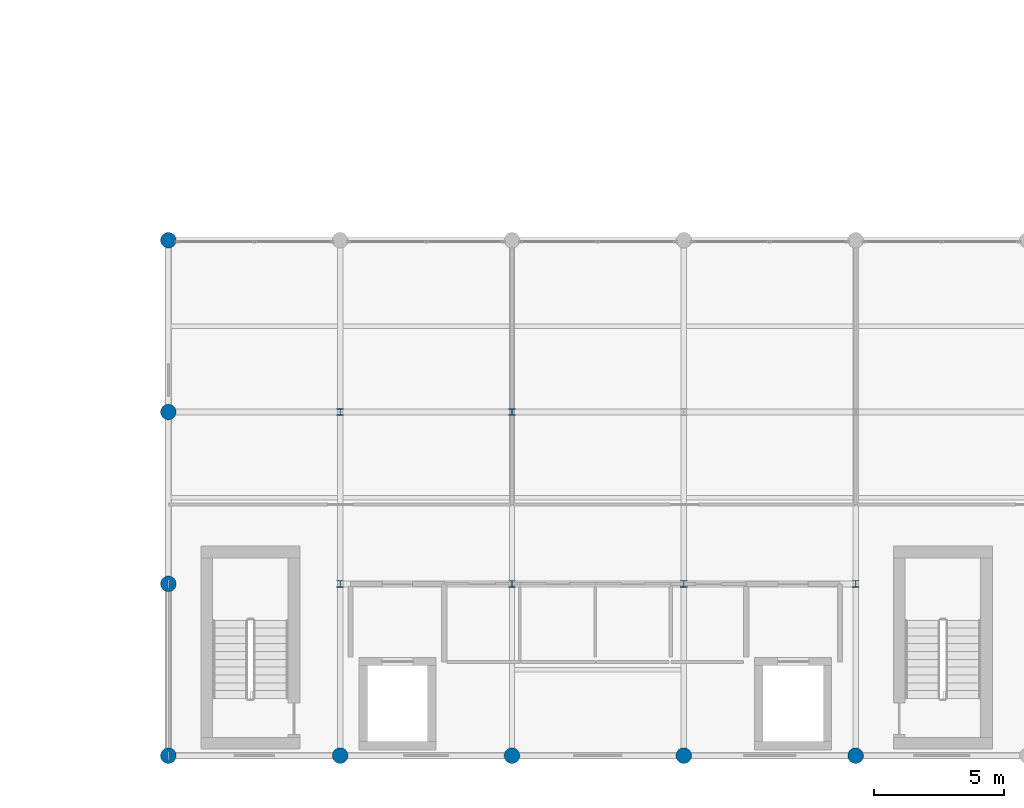
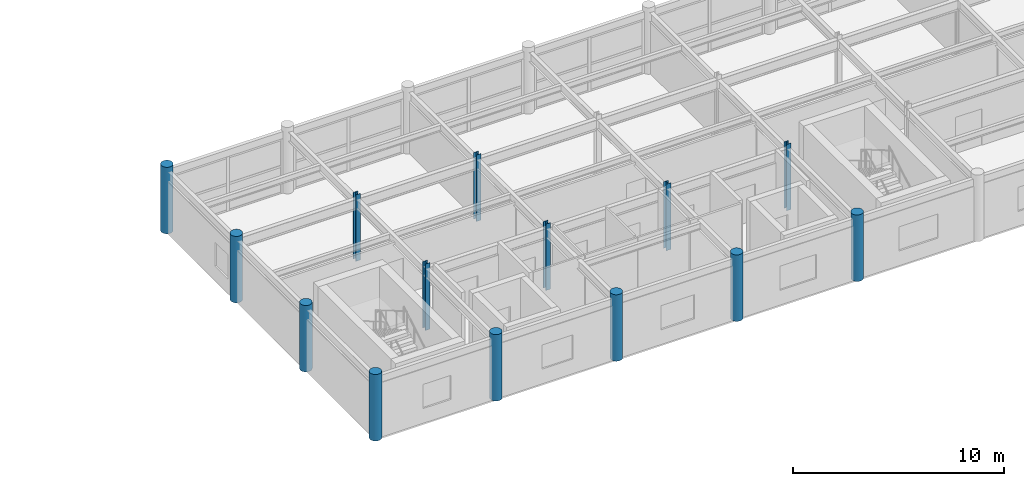
# One storey, part 1 of 28: 14 columns.
"""IFC4 building model written with IfcOpenShell, lengths in metres."""

from ifc_helpers import new_model, si_unit, direction, frame, origin, origin_2d, place, context, subcontext, project, spatial, circle, i_section, extrude, material, material_profile, profile_set, type_object, element, save


model = new_model("IFC4")

# Units and contexts
model_context = context("Model", 3, precision=1e-05, world=origin(), true_north=direction((0.0, 1.0)))
body_context = subcontext(model_context, "Body", "Model", "MODEL_VIEW")
ifc_project = project(units=[si_unit("LENGTHUNIT", "METRE"), si_unit("AREAUNIT", "SQUARE_METRE"), si_unit("VOLUMEUNIT", "CUBIC_METRE"), si_unit("PLANEANGLEUNIT", "RADIAN"), si_unit("MASSUNIT", "GRAM", prefix="KILO")], contexts=[model_context])

# Site, building, storey
site_placement = place(None, origin())
site = spatial("IfcSite", under=ifc_project, at=site_placement, CompositionType="ELEMENT")
building_placement = place(site_placement, origin())
building = spatial("IfcBuilding", under=site, at=building_placement, Name="Karori Crest Natural Sciences Institute", CompositionType="ELEMENT")
storey_placement = place(building_placement, frame((0.0, 0.0, 34.300048828125)))
storey = spatial("IfcBuildingStorey", under=building, at=storey_placement, Name="L08", CompositionType="ELEMENT", Elevation=34.300048828125)

# Columns
ifc_material_1 = material(Name="Structural steel AS/NZS 3679.1 Grade 350", Category="steel")
ifc_material_profile_1 = material_profile(ifc_material_1, i_section(OverallWidth=0.25390625, OverallDepth=0.25390625, WebThickness=0.008544921875, FlangeThickness=0.01416015625, FilletRadius=0.013916015625, at=origin_2d()), Name="250UC72.9")
ifc_profile_set_1 = profile_set([ifc_material_profile_1], Name="Structural steel AS/NZS 3679.1 Grade 350")
column_type_1 = type_object("IfcColumnType", Name="CT-07-IL", PredefinedType="COLUMN", material=ifc_profile_set_1)
for number, where, z_axis, x_axis, name in (
    (1, (110.199951171875, 7.39990234375, 0.0), (0.0, 0.0, 1.0), (1.0, 0.0, 0.0), "Column C-1086"),
    (2, (110.199951171875, 14.0, 0.0), (0.0, 0.0, 1.0), (1.0, 0.0, 0.0), "Column C-1098"),
    (3, (116.800048828125, 7.39990234375, 0.0), (0.0, 0.0, 1.0), (1.0, 0.0, 0.0), "Column C-1134"),
    (4, (116.800048828125, 14.0, 0.0), (0.0, 0.0, 1.0), (1.0, 0.0, 0.0), "Column C-1146"),
    (5, (123.39990234375, 7.39990234375, 0.0), (0.0, 0.0, 1.0), (1.0, 0.0, 0.0), "Column C-1182"),
    (6, (130.0, 7.39990234375, 0.0), (0.0, 0.0, 1.0), (1.0, 0.0, 0.0), "Column C-1230"),
):
    element("IfcColumn", number, at=place(storey_placement, frame(where, z_axis=z_axis, x_axis=x_axis)), inside=storey, type_object=column_type_1, Name=name, PredefinedType="COLUMN", context=body_context, shape_type="SweptSolid", body=[
        extrude(i_section(OverallWidth=0.25390625, OverallDepth=0.25390625, WebThickness=0.008544921875, FlangeThickness=0.01416015625, FilletRadius=0.013916015625, at=origin_2d()), origin(), (0.0, 0.0, 1.0), 3.849853515625),
    ])
ifc_material_2 = material(Name="Concrete 50 MPa", Category="concrete")
ifc_material_profile_2 = material_profile(ifc_material_2, circle(Radius=0.300048828125, at=origin_2d()), Name="RCC600")
ifc_profile_set_2 = profile_set([ifc_material_profile_2], Name="Concrete 50 MPa")
column_type_2 = type_object("IfcColumnType", Name="CT-24", PredefinedType="PILASTER", material=ifc_profile_set_2)
for number, where, z_axis, x_axis, name in (
    (7, (103.60009765625, 0.800048828125, 0.0), (0.0, 0.0, 1.0), (1.0, 0.0, 0.0), "Column C-1026"),
    (8, (103.60009765625, 7.39990234375, 0.0), (0.0, 0.0, 1.0), (1.0, 0.0, 0.0), "Column C-1038"),
    (9, (103.60009765625, 14.0, 0.0), (0.0, 0.0, 1.0), (1.0, 0.0, 0.0), "Column C-1050"),
    (10, (103.60009765625, 20.60009765625, 0.0), (0.0, 0.0, 1.0), (1.0, 0.0, 0.0), "Column C-1062"),
    (11, (110.199951171875, 0.800048828125, 0.0), (0.0, 0.0, 1.0), (1.0, 0.0, 0.0), "Column C-1074"),
    (12, (116.800048828125, 0.800048828125, 0.0), (0.0, 0.0, 1.0), (1.0, 0.0, 0.0), "Column C-1122"),
    (13, (123.39990234375, 0.800048828125, 0.0), (0.0, 0.0, 1.0), (1.0, 0.0, 0.0), "Column C-1170"),
    (14, (130.0, 0.800048828125, 0.0), (0.0, 0.0, 1.0), (1.0, 0.0, 0.0), "Column C-1218"),
):
    element("IfcColumn", number, at=place(storey_placement, frame(where, z_axis=z_axis, x_axis=x_axis)), inside=storey, type_object=column_type_2, Name=name, PredefinedType="PILASTER", context=body_context, shape_type="SweptSolid", body=[
        extrude(circle(Radius=0.300048828125, at=origin_2d()), origin(), (0.0, 0.0, 1.0), 3.849853515625),
    ])

save(model, "model.ifc")
